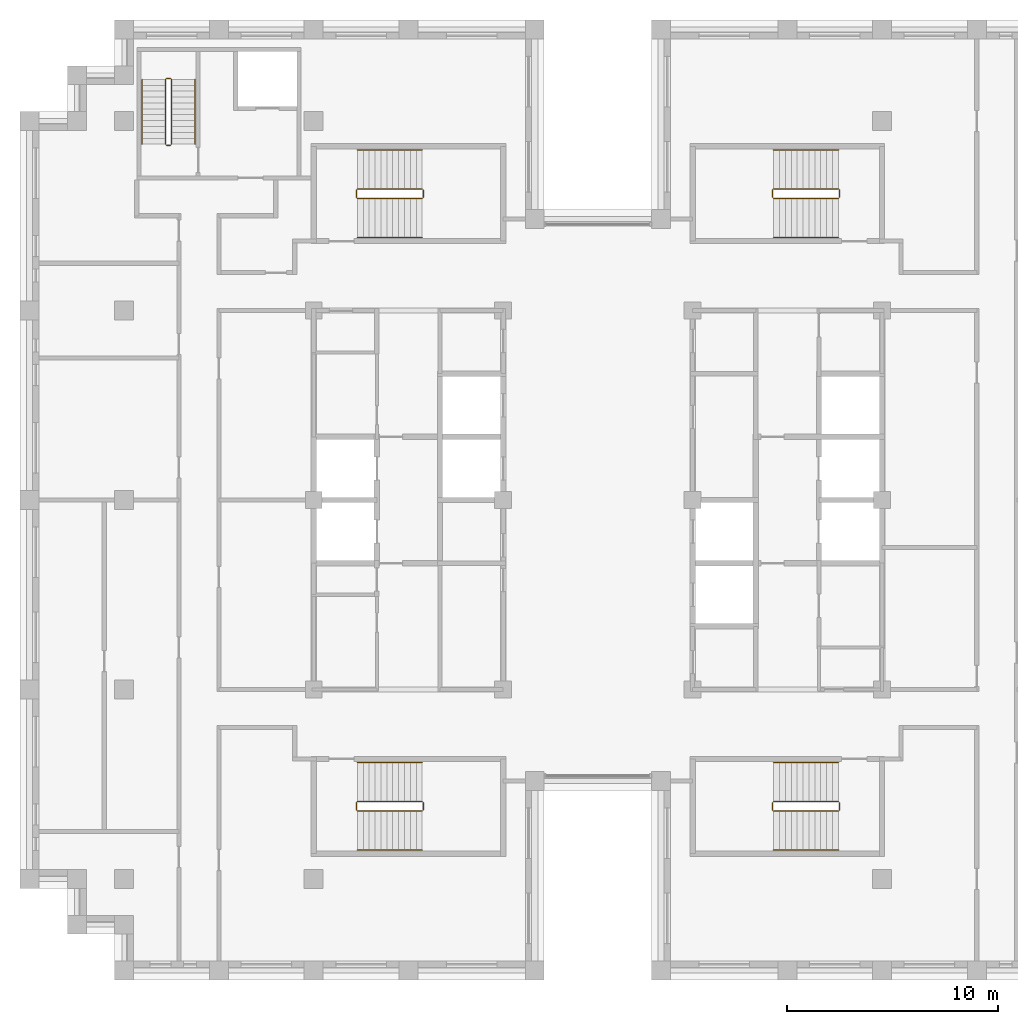
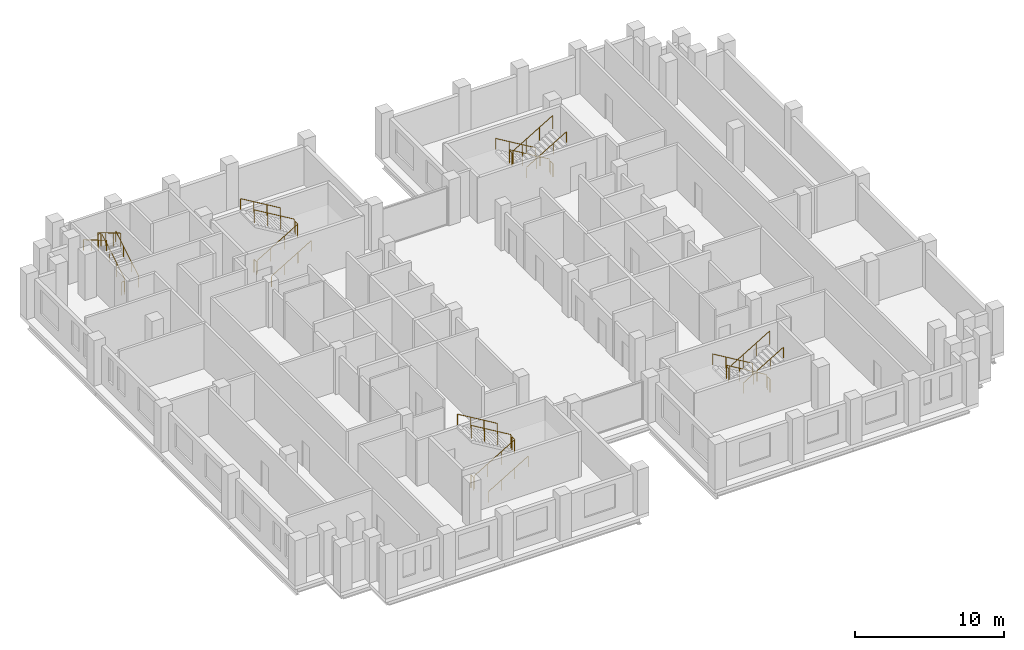
# One storey, part 13 of 13: 5 railings.
"""IFC4 building model written with IfcOpenShell, lengths in metres."""

from ifc_helpers import new_model, si_unit, direction, frame, origin, origin_2d, place, context, subcontext, project, spatial, circle, extrude, material, type_object, element, save


model = new_model("IFC4")

# Units and contexts
model_context = context("Model", 3, precision=1e-05, world=origin(), true_north=direction((0.0, 1.0)))
body_context = subcontext(model_context, "Body", "Model", "MODEL_VIEW")
ifc_project = project(units=[si_unit("LENGTHUNIT", "METRE"), si_unit("AREAUNIT", "SQUARE_METRE"), si_unit("VOLUMEUNIT", "CUBIC_METRE"), si_unit("PLANEANGLEUNIT", "RADIAN"), si_unit("MASSUNIT", "GRAM", prefix="KILO")], contexts=[model_context])

# Site, building, storey
site_placement = place(None, origin())
site = spatial("IfcSite", under=ifc_project, at=site_placement, CompositionType="ELEMENT")
building_placement = place(site_placement, origin())
building = spatial("IfcBuilding", under=site, at=building_placement, Name="Corbelhall Arena Tower", CompositionType="ELEMENT")
storey_placement = place(building_placement, frame((0.0, 0.0, 270.0)))
storey = spatial("IfcBuildingStorey", under=building, at=storey_placement, Name="L58", CompositionType="ELEMENT", Elevation=270.0)

# Railings
ifc_material = material(Name="Steel ASTM A500 Gr C", Category="steel")
railing_type = type_object("IfcRailingType", Name="IN-GD-1100", PredefinedType="GUARDRAIL", material=ifc_material)
railing_1_placement = place(storey_placement, frame((-11.425048828125, 14.324951171875, 0.166748046875)))
element("IfcRailing", 1, at=railing_1_placement, inside=storey, type_object=railing_type, Name="L58 ST1 stair guards and handrails", PredefinedType="GUARDRAIL", context=body_context, shape_type="SweptSolid", body=[
    extrude(circle(Radius=0.02392578125, at=origin_2d()), frame((0.0, 0.0, 1.076171875), z_axis=(0.859308565015, 0.0, 0.511457515432), x_axis=(0.0, 1.0, 0.0)), (0.0, 0.0, 1.0), 3.58447265625),
    extrude(circle(Radius=0.02392578125, at=origin_2d()), frame((3.130126953125, 0.050048828125, 2.9091796875), z_axis=(0.0, 1.0, 0.0), x_axis=(-1.0, 0.0, 0.0)), (0.0, 0.0, 1.0), 0.35009765625),
    extrude(circle(Radius=0.02392578125, at=origin_2d()), frame((3.080078125, 0.449951171875, 3.076171875), z_axis=(-0.859308565015, 0.0, 0.511457515432), x_axis=(0.0, -1.0, 0.0)), (0.0, 0.0, 1.0), 3.58447265625),
    extrude(circle(Radius=0.02392578125, at=origin_2d()), frame((-0.050048828125, 0.050048828125, 0.9091796875), z_axis=(0.0, 1.0, 0.0), x_axis=(-1.0, 0.0, 0.0)), (0.0, 0.0, 1.0), 0.35009765625),
    extrude(circle(Radius=0.02392578125, at=origin_2d()), frame((0.0, -1.849853515625, 0.8759765625), z_axis=(0.859308565015, 0.0, 0.511457515432), x_axis=(0.0, 1.0, 0.0)), (0.0, 0.0, 1.0), 3.58447265625),
    extrude(circle(Radius=0.02392578125, at=origin_2d()), frame((3.080078125, 2.300048828125, 2.8759765625), z_axis=(-0.859308565015, 0.0, 0.511457515432), x_axis=(0.0, -1.0, 0.0)), (0.0, 0.0, 1.0), 3.58447265625),
    extrude(circle(Radius=0.02099609375, at=origin_2d()), origin(), (0.0, 0.0, 1.0), 1.052001953125),
    extrude(circle(Radius=0.02099609375, at=origin_2d()), frame((1.026611328125, 0.0, 0.611083984375)), (0.0, 0.0, 1.0), 1.052001953125),
    extrude(circle(Radius=0.02099609375, at=origin_2d()), frame((2.053466796875, 0.0, 1.22216796875)), (0.0, 0.0, 1.0), 1.052001953125),
    extrude(circle(Radius=0.02099609375, at=origin_2d()), frame((3.080078125, 0.0, 1.833251953125)), (0.0, 0.0, 1.0), 1.052001953125),
    extrude(circle(Radius=0.02099609375, at=origin_2d()), frame((3.130126953125, 0.050048828125, 1.833251953125)), (0.0, 0.0, 1.0), 1.052001953125),
    extrude(circle(Radius=0.02099609375, at=origin_2d()), frame((3.130126953125, 0.400146484375, 1.833251953125)), (0.0, 0.0, 1.0), 1.052001953125),
    extrude(circle(Radius=0.02099609375, at=origin_2d()), frame((3.080078125, 0.449951171875, 2.0)), (0.0, 0.0, 1.0), 1.052001953125),
    extrude(circle(Radius=0.02099609375, at=origin_2d()), frame((2.053466796875, 0.449951171875, 2.611083984375)), (0.0, 0.0, 1.0), 1.052001953125),
    extrude(circle(Radius=0.02099609375, at=origin_2d()), frame((1.026611328125, 0.449951171875, 3.22216796875)), (0.0, 0.0, 1.0), 1.052001953125),
    extrude(circle(Radius=0.02099609375, at=origin_2d()), frame((0.0, 0.449951171875, 3.833251953125)), (0.0, 0.0, 1.0), 1.052001953125),
    extrude(circle(Radius=0.02099609375, at=origin_2d()), frame((-0.050048828125, 0.050048828125, -0.166748046875)), (0.0, 0.0, 1.0), 1.052001953125),
    extrude(circle(Radius=0.02099609375, at=origin_2d()), frame((-0.050048828125, 0.400146484375, -0.166748046875)), (0.0, 0.0, 1.0), 1.052001953125),
    extrude(circle(Radius=0.02099609375, at=origin_2d()), frame((0.0, -1.849853515625, 0.0)), (0.0, 0.0, 1.0), 0.851806640625),
    extrude(circle(Radius=0.02099609375, at=origin_2d()), frame((1.026611328125, -1.849853515625, 0.611083984375)), (0.0, 0.0, 1.0), 0.851806640625),
    extrude(circle(Radius=0.02099609375, at=origin_2d()), frame((2.053466796875, -1.849853515625, 1.22216796875)), (0.0, 0.0, 1.0), 0.851806640625),
    extrude(circle(Radius=0.02099609375, at=origin_2d()), frame((3.080078125, -1.849853515625, 1.833251953125)), (0.0, 0.0, 1.0), 0.851806640625),
    extrude(circle(Radius=0.02099609375, at=origin_2d()), frame((3.080078125, 2.300048828125, 2.0)), (0.0, 0.0, 1.0), 0.851806640625),
    extrude(circle(Radius=0.02099609375, at=origin_2d()), frame((2.053466796875, 2.300048828125, 2.611083984375)), (0.0, 0.0, 1.0), 0.851806640625),
    extrude(circle(Radius=0.02099609375, at=origin_2d()), frame((1.026611328125, 2.300048828125, 3.22216796875)), (0.0, 0.0, 1.0), 0.851806640625),
    extrude(circle(Radius=0.02099609375, at=origin_2d()), frame((0.0, 2.300048828125, 3.833251953125)), (0.0, 0.0, 1.0), 0.851806640625),
])
railing_2_placement = place(storey_placement, frame((-11.425048828125, -14.77490234375, 0.166748046875)))
element("IfcRailing", 2, at=railing_2_placement, inside=storey, type_object=railing_type, Name="L58 ST2 stair guards and handrails", PredefinedType="GUARDRAIL", context=body_context, shape_type="SweptSolid", body=[
    extrude(circle(Radius=0.02392578125, at=origin_2d()), frame((0.0, 0.0, 1.076171875), z_axis=(0.859308565015, 0.0, 0.511457515432), x_axis=(0.0, 1.0, 0.0)), (0.0, 0.0, 1.0), 3.58447265625),
    extrude(circle(Radius=0.02392578125, at=origin_2d()), frame((3.130126953125, 0.0498046875, 2.9091796875), z_axis=(0.0, 1.0, 0.0), x_axis=(-1.0, 0.0, 0.0)), (0.0, 0.0, 1.0), 0.35009765625),
    extrude(circle(Radius=0.02392578125, at=origin_2d()), frame((3.080078125, 0.449951171875, 3.076171875), z_axis=(-0.859308565015, 0.0, 0.511457515432), x_axis=(0.0, -1.0, 0.0)), (0.0, 0.0, 1.0), 3.58447265625),
    extrude(circle(Radius=0.02392578125, at=origin_2d()), frame((-0.050048828125, 0.0498046875, 0.9091796875), z_axis=(0.0, 1.0, 0.0), x_axis=(-1.0, 0.0, 0.0)), (0.0, 0.0, 1.0), 0.35009765625),
    extrude(circle(Radius=0.02392578125, at=origin_2d()), frame((0.0, -1.85009765625, 0.8759765625), z_axis=(0.859308565015, 0.0, 0.511457515432), x_axis=(0.0, 1.0, 0.0)), (0.0, 0.0, 1.0), 3.58447265625),
    extrude(circle(Radius=0.02392578125, at=origin_2d()), frame((3.080078125, 2.2998046875, 2.8759765625), z_axis=(-0.859308565015, 0.0, 0.511457515432), x_axis=(0.0, -1.0, 0.0)), (0.0, 0.0, 1.0), 3.58447265625),
    extrude(circle(Radius=0.02099609375, at=origin_2d()), origin(), (0.0, 0.0, 1.0), 1.052001953125),
    extrude(circle(Radius=0.02099609375, at=origin_2d()), frame((1.026611328125, 0.0, 0.611083984375)), (0.0, 0.0, 1.0), 1.052001953125),
    extrude(circle(Radius=0.02099609375, at=origin_2d()), frame((2.053466796875, 0.0, 1.22216796875)), (0.0, 0.0, 1.0), 1.052001953125),
    extrude(circle(Radius=0.02099609375, at=origin_2d()), frame((3.080078125, 0.0, 1.833251953125)), (0.0, 0.0, 1.0), 1.052001953125),
    extrude(circle(Radius=0.02099609375, at=origin_2d()), frame((3.130126953125, 0.0498046875, 1.833251953125)), (0.0, 0.0, 1.0), 1.052001953125),
    extrude(circle(Radius=0.02099609375, at=origin_2d()), frame((3.130126953125, 0.39990234375, 1.833251953125)), (0.0, 0.0, 1.0), 1.052001953125),
    extrude(circle(Radius=0.02099609375, at=origin_2d()), frame((3.080078125, 0.449951171875, 2.0)), (0.0, 0.0, 1.0), 1.052001953125),
    extrude(circle(Radius=0.02099609375, at=origin_2d()), frame((2.053466796875, 0.449951171875, 2.611083984375)), (0.0, 0.0, 1.0), 1.052001953125),
    extrude(circle(Radius=0.02099609375, at=origin_2d()), frame((1.026611328125, 0.449951171875, 3.22216796875)), (0.0, 0.0, 1.0), 1.052001953125),
    extrude(circle(Radius=0.02099609375, at=origin_2d()), frame((0.0, 0.449951171875, 3.833251953125)), (0.0, 0.0, 1.0), 1.052001953125),
    extrude(circle(Radius=0.02099609375, at=origin_2d()), frame((-0.050048828125, 0.0498046875, -0.166748046875)), (0.0, 0.0, 1.0), 1.052001953125),
    extrude(circle(Radius=0.02099609375, at=origin_2d()), frame((-0.050048828125, 0.39990234375, -0.166748046875)), (0.0, 0.0, 1.0), 1.052001953125),
    extrude(circle(Radius=0.02099609375, at=origin_2d()), frame((0.0, -1.85009765625, 0.0)), (0.0, 0.0, 1.0), 0.851806640625),
    extrude(circle(Radius=0.02099609375, at=origin_2d()), frame((1.026611328125, -1.85009765625, 0.611083984375)), (0.0, 0.0, 1.0), 0.851806640625),
    extrude(circle(Radius=0.02099609375, at=origin_2d()), frame((2.053466796875, -1.85009765625, 1.22216796875)), (0.0, 0.0, 1.0), 0.851806640625),
    extrude(circle(Radius=0.02099609375, at=origin_2d()), frame((3.080078125, -1.85009765625, 1.833251953125)), (0.0, 0.0, 1.0), 0.851806640625),
    extrude(circle(Radius=0.02099609375, at=origin_2d()), frame((3.080078125, 2.2998046875, 2.0)), (0.0, 0.0, 1.0), 0.851806640625),
    extrude(circle(Radius=0.02099609375, at=origin_2d()), frame((2.053466796875, 2.2998046875, 2.611083984375)), (0.0, 0.0, 1.0), 0.851806640625),
    extrude(circle(Radius=0.02099609375, at=origin_2d()), frame((1.026611328125, 2.2998046875, 3.22216796875)), (0.0, 0.0, 1.0), 0.851806640625),
    extrude(circle(Radius=0.02099609375, at=origin_2d()), frame((0.0, 2.2998046875, 3.833251953125)), (0.0, 0.0, 1.0), 0.851806640625),
])
railing_3_placement = place(storey_placement, frame((11.425048828125, 14.77490234375, 0.166748046875)))
element("IfcRailing", 3, at=railing_3_placement, inside=storey, type_object=railing_type, Name="L58 ST3 stair guards and handrails", PredefinedType="GUARDRAIL", context=body_context, shape_type="SweptSolid", body=[
    extrude(circle(Radius=0.02392578125, at=origin_2d()), frame((0.0, 0.0, 1.076171875), z_axis=(-0.859308565015, 0.0, 0.511457515432), x_axis=(0.0, -1.0, 0.0)), (0.0, 0.0, 1.0), 3.58447265625),
    extrude(circle(Radius=0.02392578125, at=origin_2d()), frame((-3.130126953125, -0.0498046875, 2.9091796875), z_axis=(0.0, -1.0, 0.0), x_axis=(1.0, 0.0, 0.0)), (0.0, 0.0, 1.0), 0.35009765625),
    extrude(circle(Radius=0.02392578125, at=origin_2d()), frame((-3.080078125, -0.449951171875, 3.076171875), z_axis=(0.859308565015, 0.0, 0.511457515432), x_axis=(0.0, 1.0, 0.0)), (0.0, 0.0, 1.0), 3.58447265625),
    extrude(circle(Radius=0.02392578125, at=origin_2d()), frame((0.050048828125, -0.0498046875, 0.9091796875), z_axis=(0.0, -1.0, 0.0), x_axis=(1.0, 0.0, 0.0)), (0.0, 0.0, 1.0), 0.35009765625),
    extrude(circle(Radius=0.02392578125, at=origin_2d()), frame((0.0, 1.85009765625, 0.8759765625), z_axis=(-0.859308565015, 0.0, 0.511457515432), x_axis=(0.0, -1.0, 0.0)), (0.0, 0.0, 1.0), 3.58447265625),
    extrude(circle(Radius=0.02392578125, at=origin_2d()), frame((-3.080078125, -2.2998046875, 2.8759765625), z_axis=(0.859308565015, 0.0, 0.511457515432), x_axis=(0.0, 1.0, 0.0)), (0.0, 0.0, 1.0), 3.58447265625),
    extrude(circle(Radius=0.02099609375, at=origin_2d()), origin(), (0.0, 0.0, 1.0), 1.052001953125),
    extrude(circle(Radius=0.02099609375, at=origin_2d()), frame((-1.026611328125, 0.0, 0.611083984375)), (0.0, 0.0, 1.0), 1.052001953125),
    extrude(circle(Radius=0.02099609375, at=origin_2d()), frame((-2.053466796875, 0.0, 1.22216796875)), (0.0, 0.0, 1.0), 1.052001953125),
    extrude(circle(Radius=0.02099609375, at=origin_2d()), frame((-3.080078125, 0.0, 1.833251953125)), (0.0, 0.0, 1.0), 1.052001953125),
    extrude(circle(Radius=0.02099609375, at=origin_2d()), frame((-3.130126953125, -0.0498046875, 1.833251953125)), (0.0, 0.0, 1.0), 1.052001953125),
    extrude(circle(Radius=0.02099609375, at=origin_2d()), frame((-3.130126953125, -0.39990234375, 1.833251953125)), (0.0, 0.0, 1.0), 1.052001953125),
    extrude(circle(Radius=0.02099609375, at=origin_2d()), frame((-3.080078125, -0.449951171875, 2.0)), (0.0, 0.0, 1.0), 1.052001953125),
    extrude(circle(Radius=0.02099609375, at=origin_2d()), frame((-2.053466796875, -0.449951171875, 2.611083984375)), (0.0, 0.0, 1.0), 1.052001953125),
    extrude(circle(Radius=0.02099609375, at=origin_2d()), frame((-1.026611328125, -0.449951171875, 3.22216796875)), (0.0, 0.0, 1.0), 1.052001953125),
    extrude(circle(Radius=0.02099609375, at=origin_2d()), frame((0.0, -0.449951171875, 3.833251953125)), (0.0, 0.0, 1.0), 1.052001953125),
    extrude(circle(Radius=0.02099609375, at=origin_2d()), frame((0.050048828125, -0.0498046875, -0.166748046875)), (0.0, 0.0, 1.0), 1.052001953125),
    extrude(circle(Radius=0.02099609375, at=origin_2d()), frame((0.050048828125, -0.39990234375, -0.166748046875)), (0.0, 0.0, 1.0), 1.052001953125),
    extrude(circle(Radius=0.02099609375, at=origin_2d()), frame((0.0, 1.85009765625, 0.0)), (0.0, 0.0, 1.0), 0.851806640625),
    extrude(circle(Radius=0.02099609375, at=origin_2d()), frame((-1.026611328125, 1.85009765625, 0.611083984375)), (0.0, 0.0, 1.0), 0.851806640625),
    extrude(circle(Radius=0.02099609375, at=origin_2d()), frame((-2.053466796875, 1.85009765625, 1.22216796875)), (0.0, 0.0, 1.0), 0.851806640625),
    extrude(circle(Radius=0.02099609375, at=origin_2d()), frame((-3.080078125, 1.85009765625, 1.833251953125)), (0.0, 0.0, 1.0), 0.851806640625),
    extrude(circle(Radius=0.02099609375, at=origin_2d()), frame((-3.080078125, -2.2998046875, 2.0)), (0.0, 0.0, 1.0), 0.851806640625),
    extrude(circle(Radius=0.02099609375, at=origin_2d()), frame((-2.053466796875, -2.2998046875, 2.611083984375)), (0.0, 0.0, 1.0), 0.851806640625),
    extrude(circle(Radius=0.02099609375, at=origin_2d()), frame((-1.026611328125, -2.2998046875, 3.22216796875)), (0.0, 0.0, 1.0), 0.851806640625),
    extrude(circle(Radius=0.02099609375, at=origin_2d()), frame((0.0, -2.2998046875, 3.833251953125)), (0.0, 0.0, 1.0), 0.851806640625),
])
railing_4_placement = place(storey_placement, frame((11.425048828125, -14.324951171875, 0.166748046875)))
element("IfcRailing", 4, at=railing_4_placement, inside=storey, type_object=railing_type, Name="L58 ST4 stair guards and handrails", PredefinedType="GUARDRAIL", context=body_context, shape_type="SweptSolid", body=[
    extrude(circle(Radius=0.02392578125, at=origin_2d()), frame((0.0, 0.0, 1.076171875), z_axis=(-0.859308565015, 0.0, 0.511457515432), x_axis=(0.0, -1.0, 0.0)), (0.0, 0.0, 1.0), 3.58447265625),
    extrude(circle(Radius=0.02392578125, at=origin_2d()), frame((-3.130126953125, -0.050048828125, 2.9091796875), z_axis=(0.0, -1.0, 0.0), x_axis=(1.0, 0.0, 0.0)), (0.0, 0.0, 1.0), 0.35009765625),
    extrude(circle(Radius=0.02392578125, at=origin_2d()), frame((-3.080078125, -0.449951171875, 3.076171875), z_axis=(0.859308565015, 0.0, 0.511457515432), x_axis=(0.0, 1.0, 0.0)), (0.0, 0.0, 1.0), 3.58447265625),
    extrude(circle(Radius=0.02392578125, at=origin_2d()), frame((0.050048828125, -0.050048828125, 0.9091796875), z_axis=(0.0, -1.0, 0.0), x_axis=(1.0, 0.0, 0.0)), (0.0, 0.0, 1.0), 0.35009765625),
    extrude(circle(Radius=0.02392578125, at=origin_2d()), frame((0.0, 1.849853515625, 0.8759765625), z_axis=(-0.859308565015, 0.0, 0.511457515432), x_axis=(0.0, -1.0, 0.0)), (0.0, 0.0, 1.0), 3.58447265625),
    extrude(circle(Radius=0.02392578125, at=origin_2d()), frame((-3.080078125, -2.300048828125, 2.8759765625), z_axis=(0.859308565015, 0.0, 0.511457515432), x_axis=(0.0, 1.0, 0.0)), (0.0, 0.0, 1.0), 3.58447265625),
    extrude(circle(Radius=0.02099609375, at=origin_2d()), origin(), (0.0, 0.0, 1.0), 1.052001953125),
    extrude(circle(Radius=0.02099609375, at=origin_2d()), frame((-1.026611328125, 0.0, 0.611083984375)), (0.0, 0.0, 1.0), 1.052001953125),
    extrude(circle(Radius=0.02099609375, at=origin_2d()), frame((-2.053466796875, 0.0, 1.22216796875)), (0.0, 0.0, 1.0), 1.052001953125),
    extrude(circle(Radius=0.02099609375, at=origin_2d()), frame((-3.080078125, 0.0, 1.833251953125)), (0.0, 0.0, 1.0), 1.052001953125),
    extrude(circle(Radius=0.02099609375, at=origin_2d()), frame((-3.130126953125, -0.050048828125, 1.833251953125)), (0.0, 0.0, 1.0), 1.052001953125),
    extrude(circle(Radius=0.02099609375, at=origin_2d()), frame((-3.130126953125, -0.400146484375, 1.833251953125)), (0.0, 0.0, 1.0), 1.052001953125),
    extrude(circle(Radius=0.02099609375, at=origin_2d()), frame((-3.080078125, -0.449951171875, 2.0)), (0.0, 0.0, 1.0), 1.052001953125),
    extrude(circle(Radius=0.02099609375, at=origin_2d()), frame((-2.053466796875, -0.449951171875, 2.611083984375)), (0.0, 0.0, 1.0), 1.052001953125),
    extrude(circle(Radius=0.02099609375, at=origin_2d()), frame((-1.026611328125, -0.449951171875, 3.22216796875)), (0.0, 0.0, 1.0), 1.052001953125),
    extrude(circle(Radius=0.02099609375, at=origin_2d()), frame((0.0, -0.449951171875, 3.833251953125)), (0.0, 0.0, 1.0), 1.052001953125),
    extrude(circle(Radius=0.02099609375, at=origin_2d()), frame((0.050048828125, -0.050048828125, -0.166748046875)), (0.0, 0.0, 1.0), 1.052001953125),
    extrude(circle(Radius=0.02099609375, at=origin_2d()), frame((0.050048828125, -0.400146484375, -0.166748046875)), (0.0, 0.0, 1.0), 1.052001953125),
    extrude(circle(Radius=0.02099609375, at=origin_2d()), frame((0.0, 1.849853515625, 0.0)), (0.0, 0.0, 1.0), 0.851806640625),
    extrude(circle(Radius=0.02099609375, at=origin_2d()), frame((-1.026611328125, 1.849853515625, 0.611083984375)), (0.0, 0.0, 1.0), 0.851806640625),
    extrude(circle(Radius=0.02099609375, at=origin_2d()), frame((-2.053466796875, 1.849853515625, 1.22216796875)), (0.0, 0.0, 1.0), 0.851806640625),
    extrude(circle(Radius=0.02099609375, at=origin_2d()), frame((-3.080078125, 1.849853515625, 1.833251953125)), (0.0, 0.0, 1.0), 0.851806640625),
    extrude(circle(Radius=0.02099609375, at=origin_2d()), frame((-3.080078125, -2.300048828125, 2.0)), (0.0, 0.0, 1.0), 0.851806640625),
    extrude(circle(Radius=0.02099609375, at=origin_2d()), frame((-2.053466796875, -2.300048828125, 2.611083984375)), (0.0, 0.0, 1.0), 0.851806640625),
    extrude(circle(Radius=0.02099609375, at=origin_2d()), frame((-1.026611328125, -2.300048828125, 3.22216796875)), (0.0, 0.0, 1.0), 0.851806640625),
    extrude(circle(Radius=0.02099609375, at=origin_2d()), frame((0.0, -2.300048828125, 3.833251953125)), (0.0, 0.0, 1.0), 0.851806640625),
])
railing_5_placement = place(storey_placement, frame((-20.2451171875, 16.89990234375, 0.166748046875)))
element("IfcRailing", 5, at=railing_5_placement, inside=storey, type_object=railing_type, Name="L58 ST5 stair guards and handrails", PredefinedType="GUARDRAIL", context=body_context, shape_type="SweptSolid", body=[
    extrude(circle(Radius=0.02392578125, at=origin_2d()), frame((0.0, 0.0, 1.076171875), z_axis=(0.0, 0.859308565015, 0.511457515432), x_axis=(-1.0, 0.0, 0.0)), (0.0, 0.0, 1.0), 3.58447265625),
    extrude(circle(Radius=0.02392578125, at=origin_2d()), frame((-0.0498046875, 3.130126953125, 2.9091796875), z_axis=(-1.0, 0.0, 0.0), x_axis=(0.0, -1.0, 0.0)), (0.0, 0.0, 1.0), 0.2001953125),
    extrude(circle(Radius=0.02392578125, at=origin_2d()), frame((-0.2998046875, 3.080078125, 3.076171875), z_axis=(0.0, -0.859308565015, 0.511457515432), x_axis=(1.0, 0.0, 0.0)), (0.0, 0.0, 1.0), 3.58447265625),
    extrude(circle(Radius=0.02392578125, at=origin_2d()), frame((-0.0498046875, -0.0498046875, 0.9091796875), z_axis=(-1.0, 0.0, 0.0), x_axis=(0.0, -1.0, 0.0)), (0.0, 0.0, 1.0), 0.2001953125),
    extrude(circle(Radius=0.02392578125, at=origin_2d()), frame((1.10009765625, 0.0, 0.8759765625), z_axis=(0.0, 0.859308565015, 0.511457515432), x_axis=(-1.0, 0.0, 0.0)), (0.0, 0.0, 1.0), 3.58447265625),
    extrude(circle(Radius=0.02392578125, at=origin_2d()), frame((-1.39990234375, 3.080078125, 2.8759765625), z_axis=(0.0, -0.859308565015, 0.511457515432), x_axis=(1.0, 0.0, 0.0)), (0.0, 0.0, 1.0), 3.58447265625),
    extrude(circle(Radius=0.02099609375, at=origin_2d()), origin(), (0.0, 0.0, 1.0), 1.052001953125),
    extrude(circle(Radius=0.02099609375, at=origin_2d()), frame((0.0, 1.026611328125, 0.611083984375)), (0.0, 0.0, 1.0), 1.052001953125),
    extrude(circle(Radius=0.02099609375, at=origin_2d()), frame((0.0, 2.053466796875, 1.22216796875)), (0.0, 0.0, 1.0), 1.052001953125),
    extrude(circle(Radius=0.02099609375, at=origin_2d()), frame((0.0, 3.080078125, 1.833251953125)), (0.0, 0.0, 1.0), 1.052001953125),
    extrude(circle(Radius=0.02099609375, at=origin_2d()), frame((-0.0498046875, 3.130126953125, 1.833251953125)), (0.0, 0.0, 1.0), 1.052001953125),
    extrude(circle(Radius=0.02099609375, at=origin_2d()), frame((-0.25, 3.130126953125, 1.833251953125)), (0.0, 0.0, 1.0), 1.052001953125),
    extrude(circle(Radius=0.02099609375, at=origin_2d()), frame((-0.2998046875, 3.080078125, 2.0)), (0.0, 0.0, 1.0), 1.052001953125),
    extrude(circle(Radius=0.02099609375, at=origin_2d()), frame((-0.2998046875, 2.053466796875, 2.611083984375)), (0.0, 0.0, 1.0), 1.052001953125),
    extrude(circle(Radius=0.02099609375, at=origin_2d()), frame((-0.2998046875, 1.026611328125, 3.22216796875)), (0.0, 0.0, 1.0), 1.052001953125),
    extrude(circle(Radius=0.02099609375, at=origin_2d()), frame((-0.2998046875, 0.0, 3.833251953125)), (0.0, 0.0, 1.0), 1.052001953125),
    extrude(circle(Radius=0.02099609375, at=origin_2d()), frame((-0.0498046875, -0.0498046875, -0.166748046875)), (0.0, 0.0, 1.0), 1.052001953125),
    extrude(circle(Radius=0.02099609375, at=origin_2d()), frame((-0.25, -0.0498046875, -0.166748046875)), (0.0, 0.0, 1.0), 1.052001953125),
    extrude(circle(Radius=0.02099609375, at=origin_2d()), frame((1.10009765625, 0.0, 0.0)), (0.0, 0.0, 1.0), 0.851806640625),
    extrude(circle(Radius=0.02099609375, at=origin_2d()), frame((1.10009765625, 1.026611328125, 0.611083984375)), (0.0, 0.0, 1.0), 0.851806640625),
    extrude(circle(Radius=0.02099609375, at=origin_2d()), frame((1.10009765625, 2.053466796875, 1.22216796875)), (0.0, 0.0, 1.0), 0.851806640625),
    extrude(circle(Radius=0.02099609375, at=origin_2d()), frame((1.10009765625, 3.080078125, 1.833251953125)), (0.0, 0.0, 1.0), 0.851806640625),
    extrude(circle(Radius=0.02099609375, at=origin_2d()), frame((-1.39990234375, 3.080078125, 2.0)), (0.0, 0.0, 1.0), 0.851806640625),
    extrude(circle(Radius=0.02099609375, at=origin_2d()), frame((-1.39990234375, 2.053466796875, 2.611083984375)), (0.0, 0.0, 1.0), 0.851806640625),
    extrude(circle(Radius=0.02099609375, at=origin_2d()), frame((-1.39990234375, 1.026611328125, 3.22216796875)), (0.0, 0.0, 1.0), 0.851806640625),
    extrude(circle(Radius=0.02099609375, at=origin_2d()), frame((-1.39990234375, 0.0, 3.833251953125)), (0.0, 0.0, 1.0), 0.851806640625),
])

save(model, "model.ifc")
